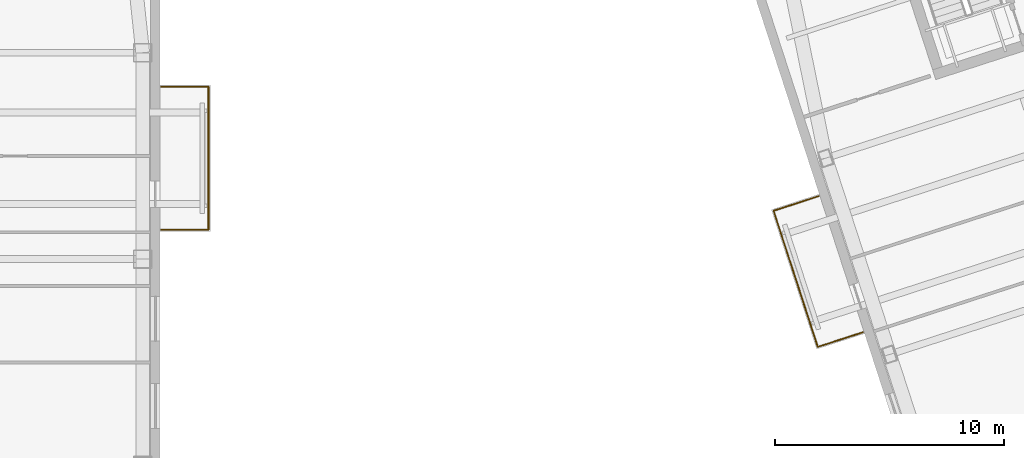
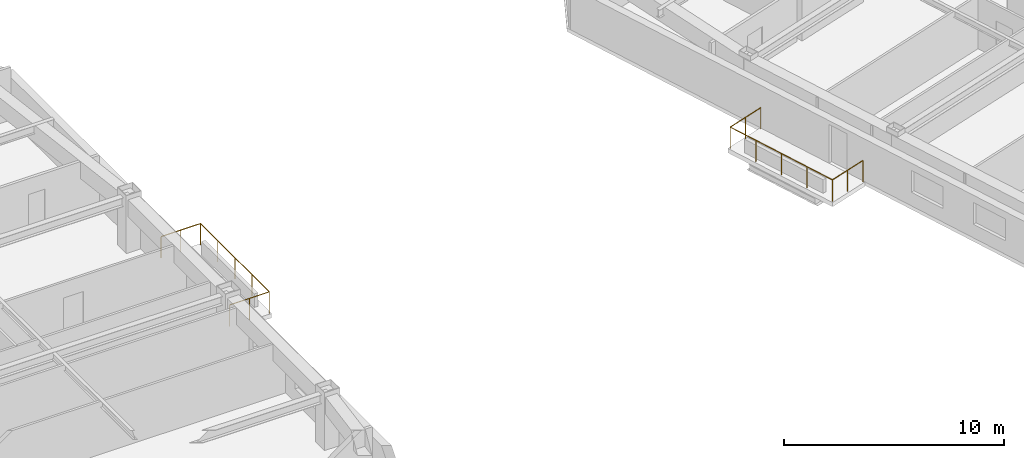
# One storey, part 14 of 16: 2 railings.
"""IFC4 building model written with IfcOpenShell, lengths in metres."""

from ifc_helpers import new_model, si_unit, direction, frame, origin, origin_2d, place, context, subcontext, project, spatial, circle, extrude, material, type_object, element, save


model = new_model("IFC4")

# Units and contexts
model_context = context("Model", 3, precision=1e-05, world=origin(), true_north=direction((0.0, 1.0)))
body_context = subcontext(model_context, "Body", "Model", "MODEL_VIEW")
ifc_project = project(units=[si_unit("LENGTHUNIT", "METRE"), si_unit("AREAUNIT", "SQUARE_METRE"), si_unit("VOLUMEUNIT", "CUBIC_METRE"), si_unit("PLANEANGLEUNIT", "RADIAN"), si_unit("MASSUNIT", "GRAM", prefix="KILO")], contexts=[model_context])

# Site, building, storey
site_placement = place(None, origin())
site = spatial("IfcSite", under=ifc_project, at=site_placement, CompositionType="ELEMENT")
building_placement = place(site_placement, origin())
building = spatial("IfcBuilding", under=site, at=building_placement, Name="Qiaolan Cultural Towers", CompositionType="ELEMENT")
storey_placement = place(building_placement, frame((0.0, 0.0, 240.800048828125)))
storey = spatial("IfcBuildingStorey", under=building, at=storey_placement, Name="L65", CompositionType="ELEMENT", Elevation=240.800048828125)

# Railings
ifc_material = material(Name="Laminated SentryGlas & Stainless Steel S31608 Balustrade", Category="steel")
railing_type = type_object("IfcRailingType", Name="GRD-TERR-1200", PredefinedType="BALUSTRADE", material=ifc_material)
railing_1_placement = place(storey_placement, frame((45.449951171875, 35.280029296875, 0.0)))
element("IfcRailing", 1, at=railing_1_placement, inside=storey, type_object=railing_type, Name="L65 T1 Tree Balcony Guardrail E", PredefinedType="BALUSTRADE", context=body_context, shape_type="SweptSolid", body=[
    extrude(circle(Radius=0.02392578125, at=origin_2d()), frame((0.0, 0.0, 1.17578125), z_axis=(1.0, 0.0, 0.0), x_axis=(0.0, 1.0, 0.0)), (0.0, 0.0, 1.0), 2.070068359375),
    extrude(circle(Radius=0.02392578125, at=origin_2d()), frame((2.070068359375, 0.0, 1.17578125), z_axis=(0.0, 1.0, 0.0), x_axis=(-1.0, 0.0, 0.0)), (0.0, 0.0, 1.0), 6.239990234375),
    extrude(circle(Radius=0.02392578125, at=origin_2d()), frame((2.070068359375, 6.239990234375, 1.17578125), z_axis=(-1.0, 0.0, 0.0), x_axis=(0.0, -1.0, 0.0)), (0.0, 0.0, 1.0), 2.070068359375),
    extrude(circle(Radius=0.02099609375, at=origin_2d()), origin(), (0.0, 0.0, 1.0), 1.15185546875),
    extrude(circle(Radius=0.02099609375, at=origin_2d()), frame((1.03515625, 0.0, 0.0)), (0.0, 0.0, 1.0), 1.15185546875),
    extrude(circle(Radius=0.02099609375, at=origin_2d()), frame((2.070068359375, 0.0, 0.0)), (0.0, 0.0, 1.0), 1.15185546875),
    extrude(circle(Radius=0.02099609375, at=origin_2d()), frame((2.070068359375, 1.56005859375, 0.0)), (0.0, 0.0, 1.0), 1.15185546875),
    extrude(circle(Radius=0.02099609375, at=origin_2d()), frame((2.070068359375, 3.1201171875, 0.0)), (0.0, 0.0, 1.0), 1.15185546875),
    extrude(circle(Radius=0.02099609375, at=origin_2d()), frame((2.070068359375, 4.679931640625, 0.0)), (0.0, 0.0, 1.0), 1.15185546875),
    extrude(circle(Radius=0.02099609375, at=origin_2d()), frame((2.070068359375, 6.239990234375, 0.0)), (0.0, 0.0, 1.0), 1.15185546875),
    extrude(circle(Radius=0.02099609375, at=origin_2d()), frame((1.03515625, 6.239990234375, 0.0)), (0.0, 0.0, 1.0), 1.15185546875),
    extrude(circle(Radius=0.02099609375, at=origin_2d()), frame((0.0, 6.239990234375, 0.0)), (0.0, 0.0, 1.0), 1.15185546875),
])
railing_2_placement = place(storey_placement, frame((76.052001953125, 30.81396484375, 0.0)))
element("IfcRailing", 2, at=railing_2_placement, inside=storey, type_object=railing_type, Name="L65 T2 Tree Balcony Guardrail W", PredefinedType="BALUSTRADE", context=body_context, shape_type="SweptSolid", body=[
    extrude(circle(Radius=0.02392578125, at=origin_2d()), frame((0.0, 0.0, 1.17578125), z_axis=(-0.951061799618, -0.309000733507, 0.0), x_axis=(0.309000733507, -0.951061799618, 0.0)), (0.0, 0.0, 1.0), 2.070068359375),
    extrude(circle(Radius=0.02392578125, at=origin_2d()), frame((-1.96875, -0.6396484375, 1.17578125), z_axis=(-0.30901175762, 0.951058217804, 0.0), x_axis=(-0.951058217804, -0.30901175762, 0.0)), (0.0, 0.0, 1.0), 6.239990234375),
    extrude(circle(Radius=0.02392578125, at=origin_2d()), frame((-3.89697265625, 5.294921875, 1.17578125), z_axis=(0.951050536716, 0.309035397023, 0.0), x_axis=(-0.309035397023, 0.951050536716, 0.0)), (0.0, 0.0, 1.0), 2.06982421875),
    extrude(circle(Radius=0.02099609375, at=origin_2d()), origin(), (0.0, 0.0, 1.0), 1.15185546875),
    extrude(circle(Radius=0.02099609375, at=origin_2d()), frame((-0.984375, -0.31982421875, 0.0)), (0.0, 0.0, 1.0), 1.15185546875),
    extrude(circle(Radius=0.02099609375, at=origin_2d()), frame((-1.96875, -0.6396484375, 0.0)), (0.0, 0.0, 1.0), 1.15185546875),
    extrude(circle(Radius=0.02099609375, at=origin_2d()), frame((-2.45068359375, 0.843994140625, 0.0)), (0.0, 0.0, 1.0), 1.15185546875),
    extrude(circle(Radius=0.02099609375, at=origin_2d()), frame((-2.932861328125, 2.32763671875, 0.0)), (0.0, 0.0, 1.0), 1.15185546875),
    extrude(circle(Radius=0.02099609375, at=origin_2d()), frame((-3.4150390625, 3.811279296875, 0.0)), (0.0, 0.0, 1.0), 1.15185546875),
    extrude(circle(Radius=0.02099609375, at=origin_2d()), frame((-3.89697265625, 5.294921875, 0.0)), (0.0, 0.0, 1.0), 1.15185546875),
    extrude(circle(Radius=0.02099609375, at=origin_2d()), frame((-2.91259765625, 5.61474609375, 0.0)), (0.0, 0.0, 1.0), 1.15185546875),
    extrude(circle(Radius=0.02099609375, at=origin_2d()), frame((-1.928466796875, 5.9345703125, 0.0)), (0.0, 0.0, 1.0), 1.15185546875),
])

save(model, "model.ifc")
